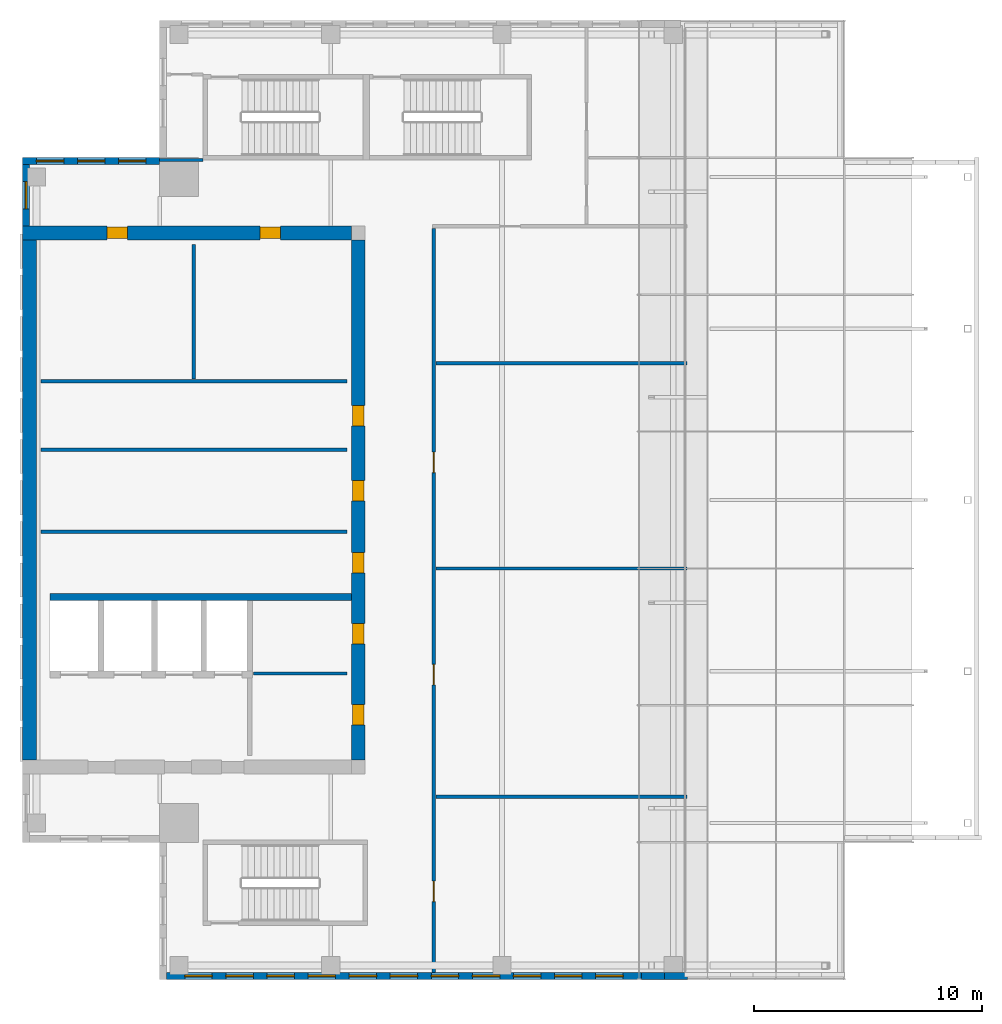
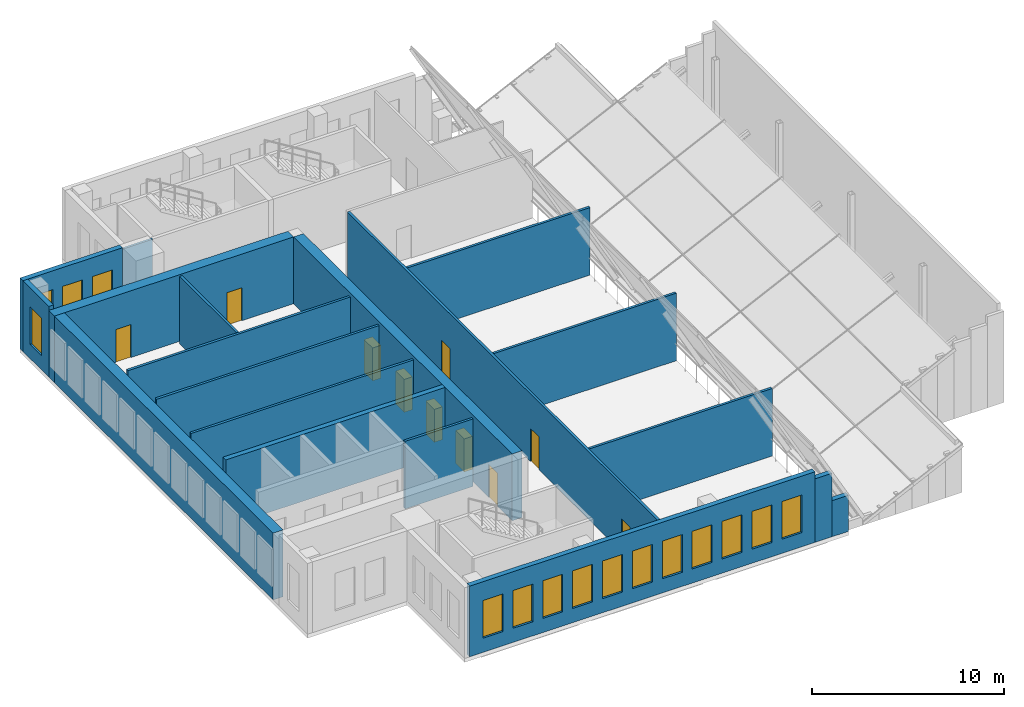
# One storey, part 5 of 11: 19 walls, 15 windows, 10 doors, 25 openings.
"""IFC4 building model written with IfcOpenShell, lengths in metres."""

from ifc_helpers import new_model, si_unit, direction, frame, frame_2d, origin, place, context, subcontext, project, spatial, rectangle, extrude, source, transform, mapped, material, layer, layer_set, type_object, element, fill, save


model = new_model("IFC4")

# Units and contexts
model_context = context("Model", 3, precision=1e-05, world=origin(), true_north=direction((0.0, 1.0)))
body_context = subcontext(model_context, "Body", "Model", "MODEL_VIEW")
ifc_project = project(units=[si_unit("LENGTHUNIT", "METRE"), si_unit("AREAUNIT", "SQUARE_METRE"), si_unit("VOLUMEUNIT", "CUBIC_METRE"), si_unit("PLANEANGLEUNIT", "RADIAN"), si_unit("MASSUNIT", "GRAM", prefix="KILO")], contexts=[model_context])

# Site, building, storey
site_placement = place(None, origin())
site = spatial("IfcSite", under=ifc_project, at=site_placement, CompositionType="ELEMENT")
building_placement = place(site_placement, origin())
building = spatial("IfcBuilding", under=site, at=building_placement, Name="Khomas Fold Tower", CompositionType="ELEMENT")
storey_placement = place(building_placement, frame((0.0, 0.0, 334.699951171875)))
storey = spatial("IfcBuildingStorey", under=building, at=storey_placement, Name="C2", CompositionType="ELEMENT", Elevation=334.699951171875)

# Wall, openings, doors
ifc_material_1 = material(Name="Concrete C50/60", Category="concrete")
ifc_layer_1 = layer(ifc_material_1, 0.60009765625)
ifc_layer_set_1 = layer_set([ifc_layer_1], Name="Concrete C50/60")
wall_type_1 = type_object("IfcWallType", Name="Core wall 600", PredefinedType="SHEAR", material=ifc_layer_set_1)
shared_shape_1 = source(origin(), body_context, "Body", "SweptSolid", [
    extrude(rectangle(XDim=14.39990234375, YDim=0.60009765625, at=frame_2d((7.199951171875, 0.0))), origin(), (0.0, 0.0, 1.0), 4.25),
])
wall_1_placement = place(storey_placement, frame((6.0, 38.699951171875, 0.0), z_axis=(0.0, 0.0, 1.0), x_axis=(1.0, 0.0, 0.0)))
wall_1 = element("IfcWall", 1, at=wall_1_placement, inside=storey, type_object=wall_type_1, Name="Core wall CW-U-N-L63", PredefinedType="SHEAR", context=body_context, shape_type="MappedRepresentation", body=[
    mapped(shared_shape_1, transform((0.0, 0.0, 0.0))),
])
shared_shape_2 = source(origin(), body_context, "Body", "SweptSolid", [
    extrude(rectangle(XDim=0.89990234375, YDim=2.10009765625, at=frame_2d((0.449951171875, 1.050048828125))), frame((0.0, 0.31005859375, 0.0), z_axis=(0.0, -1.0, 0.0), x_axis=(1.0, 0.0, 0.0)), (0.0, 0.0, 1.0), 0.6201171875),
])
opening_1_placement = place(wall_1_placement, frame((3.699951171875, 0.0, 0.0)))
opening_1 = element("IfcOpeningElement", 2, at=opening_1_placement, cuts=wall_1, Name="Opening 0003", PredefinedType="OPENING", context=body_context, shape_type="MappedRepresentation", body=[
    mapped(shared_shape_2, transform((0.0, 0.0, 0.0))),
])
opening_2_placement = place(wall_1_placement, frame((10.39990234375, 0.0, 0.0)))
opening_2 = element("IfcOpeningElement", 3, at=opening_2_placement, cuts=wall_1, Name="Opening 0003", PredefinedType="OPENING", context=body_context, shape_type="MappedRepresentation", body=[
    mapped(shared_shape_2, transform((0.0, 0.0, 0.0))),
])
ifc_material_2 = material(Name="Steel door leaf", Category="steel")
door_type_1 = type_object("IfcDoorType", Name="Plant room door 900x2100 right-hand", OperationType="SINGLE_SWING_RIGHT", PredefinedType="DOOR", material=ifc_material_2)
shared_shape_3 = source(origin(), body_context, "Body", "SweptSolid", [
    extrude(rectangle(XDim=0.89990234375, YDim=2.10009765625, at=frame_2d((0.449951171875, 1.050048828125))), frame((0.0, 0.25, 0.0), z_axis=(0.0, -1.0, 0.0), x_axis=(1.0, 0.0, 0.0)), (0.0, 0.0, 1.0), 0.5),
])
door_1_placement = place(opening_1_placement, origin())
door_1 = element("IfcDoor", 4, at=door_1_placement, inside=storey, type_object=door_type_1, Name="Plant room door", OperationType="SINGLE_SWING_RIGHT", OverallHeight=2.10009765625, OverallWidth=0.89990234375, PredefinedType="DOOR", context=body_context, shape_type="MappedRepresentation", body=[
    mapped(shared_shape_3, transform((0.0, 0.0, 0.0))),
])
fill(opening_1, door_1)
door_2_placement = place(opening_2_placement, origin())
door_2 = element("IfcDoor", 5, at=door_2_placement, inside=storey, type_object=door_type_1, Name="Plant room door", OperationType="SINGLE_SWING_RIGHT", OverallHeight=2.10009765625, OverallWidth=0.89990234375, PredefinedType="DOOR", context=body_context, shape_type="MappedRepresentation", body=[
    mapped(shared_shape_3, transform((0.0, 0.0, 0.0))),
])
fill(opening_2, door_2)

shared_shape_4 = source(origin(), body_context, "Body", "SweptSolid", [
    extrude(rectangle(XDim=22.7998046875, YDim=0.60009765625, at=frame_2d((11.39990234375, 0.0))), origin(), (0.0, 0.0, 1.0), 4.25),
])
wall_2_placement = place(storey_placement, frame((20.699951171875, 15.60009765625, 0.0), z_axis=(0.0, 0.0, 1.0), x_axis=(0.0, 1.0, 0.0)))
wall_2 = element("IfcWall", 6, at=wall_2_placement, inside=storey, type_object=wall_type_1, Name="Core wall CW-U-E-L63", PredefinedType="SHEAR", context=body_context, shape_type="MappedRepresentation", body=[
    mapped(shared_shape_4, transform((0.0, 0.0, 0.0))),
])
opening_3_placement = place(wall_2_placement, frame((8.199951171875, 0.0, 0.0)))
opening_3 = element("IfcOpeningElement", 7, at=opening_3_placement, cuts=wall_2, Name="Opening 0003", PredefinedType="OPENING", context=body_context, shape_type="MappedRepresentation", body=[
    mapped(shared_shape_2, transform((0.0, 0.0, 0.0))),
])
opening_4_placement = place(wall_2_placement, frame((11.35009765625, 0.0, 0.0)))
opening_4 = element("IfcOpeningElement", 8, at=opening_4_placement, cuts=wall_2, Name="Opening 0003", PredefinedType="OPENING", context=body_context, shape_type="MappedRepresentation", body=[
    mapped(shared_shape_2, transform((0.0, 0.0, 0.0))),
])
opening_5_placement = place(wall_2_placement, frame((14.64990234375, 0.0, 0.0)))
opening_5 = element("IfcOpeningElement", 9, at=opening_5_placement, cuts=wall_2, Name="Opening 0003", PredefinedType="OPENING", context=body_context, shape_type="MappedRepresentation", body=[
    mapped(shared_shape_2, transform((0.0, 0.0, 0.0))),
])
opening_6_placement = place(wall_2_placement, frame((1.550048828125, 0.0, 0.0)))
opening_6 = element("IfcOpeningElement", 10, at=opening_6_placement, cuts=wall_2, Name="Opening 0004", PredefinedType="OPENING", context=body_context, shape_type="MappedRepresentation", body=[
    mapped(shared_shape_2, transform((0.0, 0.0, 0.0))),
])
opening_7_placement = place(wall_2_placement, frame((5.10009765625, 0.0, 0.0)))
opening_7 = element("IfcOpeningElement", 11, at=opening_7_placement, cuts=wall_2, Name="Opening 0003", PredefinedType="OPENING", context=body_context, shape_type="MappedRepresentation", body=[
    mapped(shared_shape_2, transform((0.0, 0.0, 0.0))),
])
door_3_placement = place(opening_3_placement, origin())
door_3 = element("IfcDoor", 12, at=door_3_placement, inside=storey, type_object=door_type_1, Name="Plant room door", OperationType="SINGLE_SWING_RIGHT", OverallHeight=2.10009765625, OverallWidth=0.89990234375, PredefinedType="DOOR", context=body_context, shape_type="MappedRepresentation", body=[
    mapped(shared_shape_3, transform((0.0, 0.0, 0.0))),
])
fill(opening_3, door_3)
door_4_placement = place(opening_4_placement, origin())
door_4 = element("IfcDoor", 13, at=door_4_placement, inside=storey, type_object=door_type_1, Name="Plant room door", OperationType="SINGLE_SWING_RIGHT", OverallHeight=2.10009765625, OverallWidth=0.89990234375, PredefinedType="DOOR", context=body_context, shape_type="MappedRepresentation", body=[
    mapped(shared_shape_3, transform((0.0, 0.0, 0.0))),
])
fill(opening_4, door_4)
door_5_placement = place(opening_5_placement, origin())
door_5 = element("IfcDoor", 14, at=door_5_placement, inside=storey, type_object=door_type_1, Name="Plant room door", OperationType="SINGLE_SWING_RIGHT", OverallHeight=2.10009765625, OverallWidth=0.89990234375, PredefinedType="DOOR", context=body_context, shape_type="MappedRepresentation", body=[
    mapped(shared_shape_3, transform((0.0, 0.0, 0.0))),
])
fill(opening_5, door_5)
ifc_material_3 = material(Name="Timber door leaf", Category="wood")
door_type_2 = type_object("IfcDoorType", Name="WC door 900x2100 right-hand", OperationType="SINGLE_SWING_RIGHT", PredefinedType="DOOR", material=ifc_material_3)
door_6_placement = place(opening_6_placement, origin())
door_6 = element("IfcDoor", 15, at=door_6_placement, inside=storey, type_object=door_type_2, Name="WC door", OperationType="SINGLE_SWING_RIGHT", OverallHeight=2.10009765625, OverallWidth=0.89990234375, PredefinedType="DOOR", context=body_context, shape_type="MappedRepresentation", body=[
    mapped(shared_shape_3, transform((0.0, 0.0, 0.0))),
])
fill(opening_6, door_6)
door_7_placement = place(opening_7_placement, origin())
door_7 = element("IfcDoor", 16, at=door_7_placement, inside=storey, type_object=door_type_1, Name="Plant room door", OperationType="SINGLE_SWING_RIGHT", OverallHeight=2.10009765625, OverallWidth=0.89990234375, PredefinedType="DOOR", context=body_context, shape_type="MappedRepresentation", body=[
    mapped(shared_shape_3, transform((0.0, 0.0, 0.0))),
])
fill(opening_7, door_7)

# Walls
wall_3_placement = place(storey_placement, frame((6.300048828125, 15.60009765625, 0.0), z_axis=(0.0, 0.0, 1.0), x_axis=(0.0, 1.0, 0.0)))
element("IfcWall", 17, at=wall_3_placement, inside=storey, type_object=wall_type_1, Name="Core wall CW-U-W-L63", PredefinedType="SHEAR", context=body_context, shape_type="MappedRepresentation", body=[
    mapped(shared_shape_4, transform((0.0, 0.0, 0.0))),
])
ifc_material_4 = material(Name="Concrete C50/60", Category="concrete")
ifc_layer_2 = layer(ifc_material_4, 0.300048828125)
ifc_layer_set_2 = layer_set([ifc_layer_2], Name="Concrete C50/60")
wall_type_2 = type_object("IfcWallType", Name="Shaft wall 300", PredefinedType="STANDARD", material=ifc_layer_set_2)
shared_shape_5 = source(origin(), body_context, "Body", "SweptSolid", [
    extrude(rectangle(XDim=13.199951171875, YDim=0.300048828125, at=frame_2d((6.60009765625, 0.0))), origin(), (0.0, 0.0, 1.0), 4.25),
])
wall_4_placement = place(storey_placement, frame((7.199951171875, 22.75, 0.0), z_axis=(0.0, 0.0, 1.0), x_axis=(1.0, 0.0, 0.0)))
element("IfcWall", 18, at=wall_4_placement, inside=storey, type_object=wall_type_2, Name="Core wall SW-FS-B", PredefinedType="STANDARD", context=body_context, shape_type="MappedRepresentation", body=[
    mapped(shared_shape_5, transform((0.0, 0.0, 0.0))),
])

# Wall, openings, windows
ifc_material_5 = material(Name="Concrete C40/50", Category="concrete")
ifc_layer_3 = layer(ifc_material_5, 0.300048828125)
ifc_layer_set_3 = layer_set([ifc_layer_3], Name="Concrete C40/50")
wall_type_3 = type_object("IfcWallType", Name="Crown gable wall 300 CR-GW1", PredefinedType="SOLIDWALL", material=ifc_layer_set_3)
shared_shape_6 = source(origin(), body_context, "Body", "SweptSolid", [
    extrude(rectangle(XDim=6.0, YDim=0.300048828125, at=frame_2d((3.0, 0.0))), origin(), (0.0, 0.0, 1.0), 4.5),
])
wall_5_placement = place(storey_placement, frame((12.0, 41.85009765625, 0.0), z_axis=(0.0, 0.0, 1.0), x_axis=(-1.0, 0.0, 0.0)))
wall_5 = element("IfcWall", 19, at=wall_5_placement, inside=storey, type_object=wall_type_3, Name="Crown wall", PredefinedType="SOLIDWALL", context=body_context, shape_type="MappedRepresentation", body=[
    mapped(shared_shape_6, transform((0.0, 0.0, 0.0))),
])
shared_shape_7 = source(origin(), body_context, "Body", "SweptSolid", [
    extrude(rectangle(XDim=1.199951171875, YDim=2.39990234375, at=frame_2d((0.60009765625, 1.199951171875))), frame((0.0, 0.159912109375, 0.0), z_axis=(0.0, -1.0, 0.0), x_axis=(1.0, 0.0, 0.0)), (0.0, 0.0, 1.0), 0.320068359375),
])
opening_8_placement = place(wall_5_placement, frame((0.60009765625, 0.0, 0.89990234375)))
opening_8 = element("IfcOpeningElement", 20, at=opening_8_placement, cuts=wall_5, Name="Opening CR-LV", PredefinedType="OPENING", context=body_context, shape_type="MappedRepresentation", body=[
    mapped(shared_shape_7, transform((0.0, 0.0, 0.0))),
])
opening_9_placement = place(wall_5_placement, frame((2.39990234375, 0.0, 0.89990234375)))
opening_9 = element("IfcOpeningElement", 21, at=opening_9_placement, cuts=wall_5, Name="Opening CR-LV", PredefinedType="OPENING", context=body_context, shape_type="MappedRepresentation", body=[
    mapped(shared_shape_7, transform((0.0, 0.0, 0.0))),
])
opening_10_placement = place(wall_5_placement, frame((4.199951171875, 0.0, 0.89990234375)))
opening_10 = element("IfcOpeningElement", 22, at=opening_10_placement, cuts=wall_5, Name="Opening CR-LV", PredefinedType="OPENING", context=body_context, shape_type="MappedRepresentation", body=[
    mapped(shared_shape_7, transform((0.0, 0.0, 0.0))),
])
ifc_material_6 = material(Name="Aluminium louvre", Category="aluminium")
window_type = type_object("IfcWindowType", Name="Crown plant louvre 1200 x 2400", PartitioningType="SINGLE_PANEL", PredefinedType="WINDOW", material=ifc_material_6)
shared_shape_8 = source(origin(), body_context, "Body", "SweptSolid", [
    extrude(rectangle(XDim=1.199951171875, YDim=2.39990234375, at=frame_2d((0.60009765625, 1.199951171875))), frame((0.0, 0.030029296875, 0.0), z_axis=(0.0, -1.0, 0.0), x_axis=(1.0, 0.0, 0.0)), (0.0, 0.0, 1.0), 0.06005859375),
])
window_1_placement = place(opening_8_placement, origin())
window_1 = element("IfcWindow", 23, at=window_1_placement, inside=storey, type_object=window_type, Name="Crown plant louvre", OverallHeight=2.39990234375, OverallWidth=1.199951171875, PartitioningType="SINGLE_PANEL", PredefinedType="WINDOW", context=body_context, shape_type="MappedRepresentation", body=[
    mapped(shared_shape_8, transform((0.0, 0.0, 0.0))),
])
fill(opening_8, window_1)
window_2_placement = place(opening_9_placement, origin())
window_2 = element("IfcWindow", 24, at=window_2_placement, inside=storey, type_object=window_type, Name="Crown plant louvre", OverallHeight=2.39990234375, OverallWidth=1.199951171875, PartitioningType="SINGLE_PANEL", PredefinedType="WINDOW", context=body_context, shape_type="MappedRepresentation", body=[
    mapped(shared_shape_8, transform((0.0, 0.0, 0.0))),
])
fill(opening_9, window_2)
window_3_placement = place(opening_10_placement, origin())
window_3 = element("IfcWindow", 25, at=window_3_placement, inside=storey, type_object=window_type, Name="Crown plant louvre", OverallHeight=2.39990234375, OverallWidth=1.199951171875, PartitioningType="SINGLE_PANEL", PredefinedType="WINDOW", context=body_context, shape_type="MappedRepresentation", body=[
    mapped(shared_shape_8, transform((0.0, 0.0, 0.0))),
])
fill(opening_10, window_3)

# Wall, opening, window
shared_shape_9 = source(origin(), body_context, "Body", "SweptSolid", [
    extrude(rectangle(XDim=2.699951171875, YDim=0.300048828125, at=frame_2d((1.35009765625, 0.0))), origin(), (0.0, 0.0, 1.0), 4.5),
])
wall_6_placement = place(storey_placement, frame((6.14990234375, 41.699951171875, 0.0), z_axis=(0.0, 0.0, 1.0), x_axis=(0.0, -1.0, 0.0)))
wall_6 = element("IfcWall", 26, at=wall_6_placement, inside=storey, type_object=wall_type_3, Name="Crown wall", PredefinedType="SOLIDWALL", context=body_context, shape_type="MappedRepresentation", body=[
    mapped(shared_shape_9, transform((0.0, 0.0, 0.0))),
])
opening_11_placement = place(wall_6_placement, frame((0.75, 0.0, 0.89990234375)))
opening_11 = element("IfcOpeningElement", 27, at=opening_11_placement, cuts=wall_6, Name="Opening CR-LV", PredefinedType="OPENING", context=body_context, shape_type="MappedRepresentation", body=[
    mapped(shared_shape_7, transform((0.0, 0.0, 0.0))),
])
window_4_placement = place(opening_11_placement, origin())
window_4 = element("IfcWindow", 28, at=window_4_placement, inside=storey, type_object=window_type, Name="Crown plant louvre", OverallHeight=2.39990234375, OverallWidth=1.199951171875, PartitioningType="SINGLE_PANEL", PredefinedType="WINDOW", context=body_context, shape_type="MappedRepresentation", body=[
    mapped(shared_shape_8, transform((0.0, 0.0, 0.0))),
])
fill(opening_11, window_4)

# Wall, openings, windows
shared_shape_10 = source(origin(), body_context, "Body", "SweptSolid", [
    extrude(rectangle(XDim=20.80517578125, YDim=0.300048828125, at=frame_2d((10.402587890625, 0.0))), origin(), (0.0, 0.0, 1.0), 4.5),
])
wall_7_placement = place(storey_placement, frame((12.300048828125, 6.14990234375, 0.0), z_axis=(0.0, 0.0, 1.0), x_axis=(1.0, 0.0, 0.0)))
wall_7 = element("IfcWall", 29, at=wall_7_placement, inside=storey, type_object=wall_type_3, Name="Crown wall", PredefinedType="SOLIDWALL", context=body_context, shape_type="MappedRepresentation", body=[
    mapped(shared_shape_10, transform((0.0, 0.0, 0.0))),
])
opening_12_placement = place(wall_7_placement, frame((0.800048828125, 0.0, 0.89990234375)))
opening_12 = element("IfcOpeningElement", 30, at=opening_12_placement, cuts=wall_7, Name="Opening CR-LV", PredefinedType="OPENING", context=body_context, shape_type="MappedRepresentation", body=[
    mapped(shared_shape_7, transform((0.0, 0.0, 0.0))),
])
opening_13_placement = place(wall_7_placement, frame((2.60009765625, 0.0, 0.89990234375)))
opening_13 = element("IfcOpeningElement", 31, at=opening_13_placement, cuts=wall_7, Name="Opening CR-LV", PredefinedType="OPENING", context=body_context, shape_type="MappedRepresentation", body=[
    mapped(shared_shape_7, transform((0.0, 0.0, 0.0))),
])
opening_14_placement = place(wall_7_placement, frame((4.39990234375, 0.0, 0.89990234375)))
opening_14 = element("IfcOpeningElement", 32, at=opening_14_placement, cuts=wall_7, Name="Opening CR-LV", PredefinedType="OPENING", context=body_context, shape_type="MappedRepresentation", body=[
    mapped(shared_shape_7, transform((0.0, 0.0, 0.0))),
])
opening_15_placement = place(wall_7_placement, frame((6.199951171875, 0.0, 0.89990234375)))
opening_15 = element("IfcOpeningElement", 33, at=opening_15_placement, cuts=wall_7, Name="Opening CR-LV", PredefinedType="OPENING", context=body_context, shape_type="MappedRepresentation", body=[
    mapped(shared_shape_7, transform((0.0, 0.0, 0.0))),
])
opening_16_placement = place(wall_7_placement, frame((8.0, 0.0, 0.89990234375)))
opening_16 = element("IfcOpeningElement", 34, at=opening_16_placement, cuts=wall_7, Name="Opening CR-LV", PredefinedType="OPENING", context=body_context, shape_type="MappedRepresentation", body=[
    mapped(shared_shape_7, transform((0.0, 0.0, 0.0))),
])
opening_17_placement = place(wall_7_placement, frame((9.800048828125, 0.0, 0.89990234375)))
opening_17 = element("IfcOpeningElement", 35, at=opening_17_placement, cuts=wall_7, Name="Opening CR-LV", PredefinedType="OPENING", context=body_context, shape_type="MappedRepresentation", body=[
    mapped(shared_shape_7, transform((0.0, 0.0, 0.0))),
])
opening_18_placement = place(wall_7_placement, frame((11.60009765625, 0.0, 0.89990234375)))
opening_18 = element("IfcOpeningElement", 36, at=opening_18_placement, cuts=wall_7, Name="Opening CR-LV", PredefinedType="OPENING", context=body_context, shape_type="MappedRepresentation", body=[
    mapped(shared_shape_7, transform((0.0, 0.0, 0.0))),
])
opening_19_placement = place(wall_7_placement, frame((13.39990234375, 0.0, 0.89990234375)))
opening_19 = element("IfcOpeningElement", 37, at=opening_19_placement, cuts=wall_7, Name="Opening CR-LV", PredefinedType="OPENING", context=body_context, shape_type="MappedRepresentation", body=[
    mapped(shared_shape_7, transform((0.0, 0.0, 0.0))),
])
opening_20_placement = place(wall_7_placement, frame((15.199951171875, 0.0, 0.89990234375)))
opening_20 = element("IfcOpeningElement", 38, at=opening_20_placement, cuts=wall_7, Name="Opening CR-LV", PredefinedType="OPENING", context=body_context, shape_type="MappedRepresentation", body=[
    mapped(shared_shape_7, transform((0.0, 0.0, 0.0))),
])
opening_21_placement = place(wall_7_placement, frame((17.0, 0.0, 0.89990234375)))
opening_21 = element("IfcOpeningElement", 39, at=opening_21_placement, cuts=wall_7, Name="Opening CR-LV", PredefinedType="OPENING", context=body_context, shape_type="MappedRepresentation", body=[
    mapped(shared_shape_7, transform((0.0, 0.0, 0.0))),
])
opening_22_placement = place(wall_7_placement, frame((18.800048828125, 0.0, 0.89990234375)))
opening_22 = element("IfcOpeningElement", 40, at=opening_22_placement, cuts=wall_7, Name="Opening CR-LV", PredefinedType="OPENING", context=body_context, shape_type="MappedRepresentation", body=[
    mapped(shared_shape_7, transform((0.0, 0.0, 0.0))),
])
window_5_placement = place(opening_12_placement, origin())
window_5 = element("IfcWindow", 41, at=window_5_placement, inside=storey, type_object=window_type, Name="Crown plant louvre", OverallHeight=2.39990234375, OverallWidth=1.199951171875, PartitioningType="SINGLE_PANEL", PredefinedType="WINDOW", context=body_context, shape_type="MappedRepresentation", body=[
    mapped(shared_shape_8, transform((0.0, 0.0, 0.0))),
])
fill(opening_12, window_5)
window_6_placement = place(opening_13_placement, origin())
window_6 = element("IfcWindow", 42, at=window_6_placement, inside=storey, type_object=window_type, Name="Crown plant louvre", OverallHeight=2.39990234375, OverallWidth=1.199951171875, PartitioningType="SINGLE_PANEL", PredefinedType="WINDOW", context=body_context, shape_type="MappedRepresentation", body=[
    mapped(shared_shape_8, transform((0.0, 0.0, 0.0))),
])
fill(opening_13, window_6)
window_7_placement = place(opening_14_placement, origin())
window_7 = element("IfcWindow", 43, at=window_7_placement, inside=storey, type_object=window_type, Name="Crown plant louvre", OverallHeight=2.39990234375, OverallWidth=1.199951171875, PartitioningType="SINGLE_PANEL", PredefinedType="WINDOW", context=body_context, shape_type="MappedRepresentation", body=[
    mapped(shared_shape_8, transform((0.0, 0.0, 0.0))),
])
fill(opening_14, window_7)
window_8_placement = place(opening_15_placement, origin())
window_8 = element("IfcWindow", 44, at=window_8_placement, inside=storey, type_object=window_type, Name="Crown plant louvre", OverallHeight=2.39990234375, OverallWidth=1.199951171875, PartitioningType="SINGLE_PANEL", PredefinedType="WINDOW", context=body_context, shape_type="MappedRepresentation", body=[
    mapped(shared_shape_8, transform((0.0, 0.0, 0.0))),
])
fill(opening_15, window_8)
window_9_placement = place(opening_16_placement, origin())
window_9 = element("IfcWindow", 45, at=window_9_placement, inside=storey, type_object=window_type, Name="Crown plant louvre", OverallHeight=2.39990234375, OverallWidth=1.199951171875, PartitioningType="SINGLE_PANEL", PredefinedType="WINDOW", context=body_context, shape_type="MappedRepresentation", body=[
    mapped(shared_shape_8, transform((0.0, 0.0, 0.0))),
])
fill(opening_16, window_9)
window_10_placement = place(opening_17_placement, origin())
window_10 = element("IfcWindow", 46, at=window_10_placement, inside=storey, type_object=window_type, Name="Crown plant louvre", OverallHeight=2.39990234375, OverallWidth=1.199951171875, PartitioningType="SINGLE_PANEL", PredefinedType="WINDOW", context=body_context, shape_type="MappedRepresentation", body=[
    mapped(shared_shape_8, transform((0.0, 0.0, 0.0))),
])
fill(opening_17, window_10)
window_11_placement = place(opening_18_placement, origin())
window_11 = element("IfcWindow", 47, at=window_11_placement, inside=storey, type_object=window_type, Name="Crown plant louvre", OverallHeight=2.39990234375, OverallWidth=1.199951171875, PartitioningType="SINGLE_PANEL", PredefinedType="WINDOW", context=body_context, shape_type="MappedRepresentation", body=[
    mapped(shared_shape_8, transform((0.0, 0.0, 0.0))),
])
fill(opening_18, window_11)
window_12_placement = place(opening_19_placement, origin())
window_12 = element("IfcWindow", 48, at=window_12_placement, inside=storey, type_object=window_type, Name="Crown plant louvre", OverallHeight=2.39990234375, OverallWidth=1.199951171875, PartitioningType="SINGLE_PANEL", PredefinedType="WINDOW", context=body_context, shape_type="MappedRepresentation", body=[
    mapped(shared_shape_8, transform((0.0, 0.0, 0.0))),
])
fill(opening_19, window_12)
window_13_placement = place(opening_20_placement, origin())
window_13 = element("IfcWindow", 49, at=window_13_placement, inside=storey, type_object=window_type, Name="Crown plant louvre", OverallHeight=2.39990234375, OverallWidth=1.199951171875, PartitioningType="SINGLE_PANEL", PredefinedType="WINDOW", context=body_context, shape_type="MappedRepresentation", body=[
    mapped(shared_shape_8, transform((0.0, 0.0, 0.0))),
])
fill(opening_20, window_13)
window_14_placement = place(opening_21_placement, origin())
window_14 = element("IfcWindow", 50, at=window_14_placement, inside=storey, type_object=window_type, Name="Crown plant louvre", OverallHeight=2.39990234375, OverallWidth=1.199951171875, PartitioningType="SINGLE_PANEL", PredefinedType="WINDOW", context=body_context, shape_type="MappedRepresentation", body=[
    mapped(shared_shape_8, transform((0.0, 0.0, 0.0))),
])
fill(opening_21, window_14)
window_15_placement = place(opening_22_placement, origin())
window_15 = element("IfcWindow", 51, at=window_15_placement, inside=storey, type_object=window_type, Name="Crown plant louvre", OverallHeight=2.39990234375, OverallWidth=1.199951171875, PartitioningType="SINGLE_PANEL", PredefinedType="WINDOW", context=body_context, shape_type="MappedRepresentation", body=[
    mapped(shared_shape_8, transform((0.0, 0.0, 0.0))),
])
fill(opening_22, window_15)

# Walls
ifc_material_7 = material(Name="Concrete C40/50", Category="concrete")
ifc_layer_4 = layer(ifc_material_7, 0.300048828125)
ifc_layer_set_4 = layer_set([ifc_layer_4], Name="Concrete C40/50")
wall_type_4 = type_object("IfcWallType", Name="Crown gable wall 300 CR-GW2", PredefinedType="SOLIDWALL", material=ifc_layer_set_4)
shared_shape_11 = source(origin(), body_context, "Body", "SweptSolid", [
    extrude(rectangle(XDim=1.0048828125, YDim=0.300048828125, at=frame_2d((0.50244140625, 0.0))), origin(), (0.0, 0.0, 1.0), 4.050048828125),
])
wall_8_placement = place(storey_placement, frame((33.105224609375, 6.14990234375, 0.0), z_axis=(0.0, 0.0, 1.0), x_axis=(1.0, 0.0, 0.0)))
element("IfcWall", 52, at=wall_8_placement, inside=storey, type_object=wall_type_4, Name="Crown wall", PredefinedType="SOLIDWALL", context=body_context, shape_type="MappedRepresentation", body=[
    mapped(shared_shape_11, transform((0.0, 0.0, 0.0))),
])
ifc_material_8 = material(Name="Concrete C40/50", Category="concrete")
ifc_layer_5 = layer(ifc_material_8, 0.300048828125)
ifc_layer_set_5 = layer_set([ifc_layer_5], Name="Concrete C40/50")
wall_type_5 = type_object("IfcWallType", Name="Crown gable wall 300 CR-GW3", PredefinedType="SOLIDWALL", material=ifc_layer_set_5)
shared_shape_12 = source(origin(), body_context, "Body", "SweptSolid", [
    extrude(rectangle(XDim=1.005126953125, YDim=0.300048828125, at=frame_2d((0.50244140625, 0.0))), origin(), (0.0, 0.0, 1.0), 2.300048828125),
])
wall_9_placement = place(storey_placement, frame((34.110107421875, 6.14990234375, 0.0), z_axis=(0.0, 0.0, 1.0), x_axis=(1.0, 0.0, 0.0)))
element("IfcWall", 53, at=wall_9_placement, inside=storey, type_object=wall_type_5, Name="Crown wall", PredefinedType="SOLIDWALL", context=body_context, shape_type="MappedRepresentation", body=[
    mapped(shared_shape_12, transform((0.0, 0.0, 0.0))),
])

# Wall, openings, doors
ifc_material_9 = material(Name="Plasterboard fire partition")
ifc_layer_6 = layer(ifc_material_9, 0.14990234375)
ifc_layer_set_6 = layer_set([ifc_layer_6], Name="Plasterboard fire partition")
wall_type_6 = type_object("IfcWallType", Name="Plant room wall PW3 150", PredefinedType="PARTITIONING", material=ifc_layer_set_6)
shared_shape_13 = source(origin(), body_context, "Body", "SweptSolid", [
    extrude(rectangle(XDim=32.599853515625, YDim=0.14990234375, at=frame_2d((16.2998046875, 0.0))), origin(), (0.0, 0.0, 1.0), 4.300048828125),
])
wall_10_placement = place(storey_placement, frame((24.0, 6.300048828125, 0.0), z_axis=(0.0, 0.0, 1.0), x_axis=(0.0, 1.0, 0.0)))
wall_10 = element("IfcWall", 54, at=wall_10_placement, inside=storey, type_object=wall_type_6, Name="Plant room wall", PredefinedType="PARTITIONING", context=body_context, shape_type="MappedRepresentation", body=[
    mapped(shared_shape_13, transform((0.0, 0.0, 0.0))),
])
shared_shape_14 = source(origin(), body_context, "Body", "SweptSolid", [
    extrude(rectangle(XDim=0.89990234375, YDim=2.10009765625, at=frame_2d((0.449951171875, 1.050048828125))), frame((0.0, 0.0849609375, 0.0), z_axis=(0.0, -1.0, 0.0), x_axis=(1.0, 0.0, 0.0)), (0.0, 0.0, 1.0), 0.169921875),
])
opening_23_placement = place(wall_10_placement, frame((3.10009765625, 0.0, 0.0)))
opening_23 = element("IfcOpeningElement", 55, at=opening_23_placement, cuts=wall_10, Name="Opening 0002", PredefinedType="OPENING", context=body_context, shape_type="MappedRepresentation", body=[
    mapped(shared_shape_14, transform((0.0, 0.0, 0.0))),
])
opening_24_placement = place(wall_10_placement, frame((12.60009765625, 0.0, 0.0)))
opening_24 = element("IfcOpeningElement", 56, at=opening_24_placement, cuts=wall_10, Name="Opening 0002", PredefinedType="OPENING", context=body_context, shape_type="MappedRepresentation", body=[
    mapped(shared_shape_14, transform((0.0, 0.0, 0.0))),
])
opening_25_placement = place(wall_10_placement, frame((21.89990234375, 0.0, 0.0)))
opening_25 = element("IfcOpeningElement", 57, at=opening_25_placement, cuts=wall_10, Name="Opening 0003", PredefinedType="OPENING", context=body_context, shape_type="MappedRepresentation", body=[
    mapped(shared_shape_14, transform((0.0, 0.0, 0.0))),
])
ifc_material_10 = material(Name="Steel door leaf", Category="steel")
door_type_3 = type_object("IfcDoorType", Name="Plant room door 900x2100 left-hand", OperationType="SINGLE_SWING_LEFT", PredefinedType="DOOR", material=ifc_material_10)
shared_shape_15 = source(origin(), body_context, "Body", "SweptSolid", [
    extrude(rectangle(XDim=0.89990234375, YDim=2.10009765625, at=frame_2d((0.449951171875, 1.050048828125))), frame((0.0, 0.02490234375, 0.0), z_axis=(0.0, -1.0, 0.0), x_axis=(1.0, 0.0, 0.0)), (0.0, 0.0, 1.0), 0.050048828125),
])
door_8_placement = place(opening_23_placement, origin())
door_8 = element("IfcDoor", 58, at=door_8_placement, inside=storey, type_object=door_type_3, Name="Plant room door", OperationType="SINGLE_SWING_LEFT", OverallHeight=2.10009765625, OverallWidth=0.89990234375, PredefinedType="DOOR", context=body_context, shape_type="MappedRepresentation", body=[
    mapped(shared_shape_15, transform((0.0, 0.0, 0.0))),
])
fill(opening_23, door_8)
door_9_placement = place(opening_24_placement, origin())
door_9 = element("IfcDoor", 59, at=door_9_placement, inside=storey, type_object=door_type_3, Name="Plant room door", OperationType="SINGLE_SWING_LEFT", OverallHeight=2.10009765625, OverallWidth=0.89990234375, PredefinedType="DOOR", context=body_context, shape_type="MappedRepresentation", body=[
    mapped(shared_shape_15, transform((0.0, 0.0, 0.0))),
])
fill(opening_24, door_9)
door_10_placement = place(opening_25_placement, origin())
door_10 = element("IfcDoor", 60, at=door_10_placement, inside=storey, type_object=door_type_1, Name="Plant room door", OperationType="SINGLE_SWING_RIGHT", OverallHeight=2.10009765625, OverallWidth=0.89990234375, PredefinedType="DOOR", context=body_context, shape_type="MappedRepresentation", body=[
    mapped(shared_shape_15, transform((0.0, 0.0, 0.0))),
])
fill(opening_25, door_10)

# Walls
shared_shape_16 = source(origin(), body_context, "Body", "SweptSolid", [
    extrude(rectangle(XDim=4.099853515625, YDim=0.14990234375, at=frame_2d((2.0498046875, 0.0))), origin(), (0.0, 0.0, 1.0), 4.300048828125),
])
wall_11_placement = place(storey_placement, frame((16.10009765625, 19.39990234375, 0.0), z_axis=(0.0, 0.0, 1.0), x_axis=(1.0, 0.0, 0.0)))
element("IfcWall", 61, at=wall_11_placement, inside=storey, type_object=wall_type_6, Name="Plant room wall", PredefinedType="PARTITIONING", context=body_context, shape_type="MappedRepresentation", body=[
    mapped(shared_shape_16, transform((0.0, 0.0, 0.0))),
])
ifc_material_11 = material(Name="Plasterboard partition")
ifc_layer_7 = layer(ifc_material_11, 0.125)
ifc_layer_set_7 = layer_set([ifc_layer_7], Name="Plasterboard partition")
wall_type_7 = type_object("IfcWallType", Name="Partition PW2 125", PredefinedType="PARTITIONING", material=ifc_layer_set_7)
shared_shape_17 = source(origin(), body_context, "Body", "SweptSolid", [
    extrude(rectangle(XDim=1.89990234375, YDim=0.125, at=frame_2d((0.949951171875, 0.0))), origin(), (0.0, 0.0, 1.0), 4.300048828125),
])
wall_12_placement = place(storey_placement, frame((12.0, 41.89990234375, 0.0), z_axis=(0.0, 0.0, 1.0), x_axis=(1.0, 0.0, 0.0)))
element("IfcWall", 62, at=wall_12_placement, inside=storey, type_object=wall_type_7, Name="Partition", PredefinedType="PARTITIONING", context=body_context, shape_type="MappedRepresentation", body=[
    mapped(shared_shape_17, transform((0.0, 0.0, 0.0))),
])
shared_shape_18 = source(origin(), body_context, "Body", "SweptSolid", [
    extrude(rectangle(XDim=11.0, YDim=0.14990234375, at=frame_2d((5.5, 0.0))), origin(), (0.0, 0.0, 1.0), 4.300048828125),
])
for number, where, z_axis, x_axis, name in (
    (63, (24.10009765625, 14.0, 0.0), (0.0, 0.0, 1.0), (1.0, 0.0, 0.0), "Plant room wall"),
    (64, (24.10009765625, 24.0, 0.0), (0.0, 0.0, 1.0), (1.0, 0.0, 0.0), "Plant room wall"),
    (65, (24.10009765625, 33.0, 0.0), (0.0, 0.0, 1.0), (1.0, 0.0, 0.0), "Plant room wall"),
):
    element("IfcWall", number, at=place(storey_placement, frame(where, z_axis=z_axis, x_axis=x_axis)), inside=storey, type_object=wall_type_6, Name=name, PredefinedType="PARTITIONING", context=body_context, shape_type="MappedRepresentation", body=[
        mapped(shared_shape_18, transform((0.0, 0.0, 0.0))),
    ])
shared_shape_19 = source(origin(), body_context, "Body", "SweptSolid", [
    extrude(rectangle(XDim=13.39990234375, YDim=0.14990234375, at=frame_2d((6.699951171875, 0.0))), origin(), (0.0, 0.0, 1.0), 4.300048828125),
])
for number, where, z_axis, x_axis, name in (
    (66, (6.800048828125, 25.60009765625, 0.0), (0.0, 0.0, 1.0), (1.0, 0.0, 0.0), "Plant room wall"),
    (67, (6.800048828125, 29.199951171875, 0.0), (0.0, 0.0, 1.0), (1.0, 0.0, 0.0), "Plant room wall"),
    (68, (6.800048828125, 32.199951171875, 0.0), (0.0, 0.0, 1.0), (1.0, 0.0, 0.0), "Plant room wall"),
):
    element("IfcWall", number, at=place(storey_placement, frame(where, z_axis=z_axis, x_axis=x_axis)), inside=storey, type_object=wall_type_6, Name=name, PredefinedType="PARTITIONING", context=body_context, shape_type="MappedRepresentation", body=[
        mapped(shared_shape_19, transform((0.0, 0.0, 0.0))),
    ])
shared_shape_20 = source(origin(), body_context, "Body", "SweptSolid", [
    extrude(rectangle(XDim=5.89990234375, YDim=0.14990234375, at=frame_2d((2.949951171875, 0.0))), origin(), (0.0, 0.0, 1.0), 4.300048828125),
])
wall_13_placement = place(storey_placement, frame((13.5, 32.300048828125, 0.0), z_axis=(0.0, 0.0, 1.0), x_axis=(0.0, 1.0, 0.0)))
element("IfcWall", 69, at=wall_13_placement, inside=storey, type_object=wall_type_6, Name="Plant room wall", PredefinedType="PARTITIONING", context=body_context, shape_type="MappedRepresentation", body=[
    mapped(shared_shape_20, transform((0.0, 0.0, 0.0))),
])

save(model, "model.ifc")
